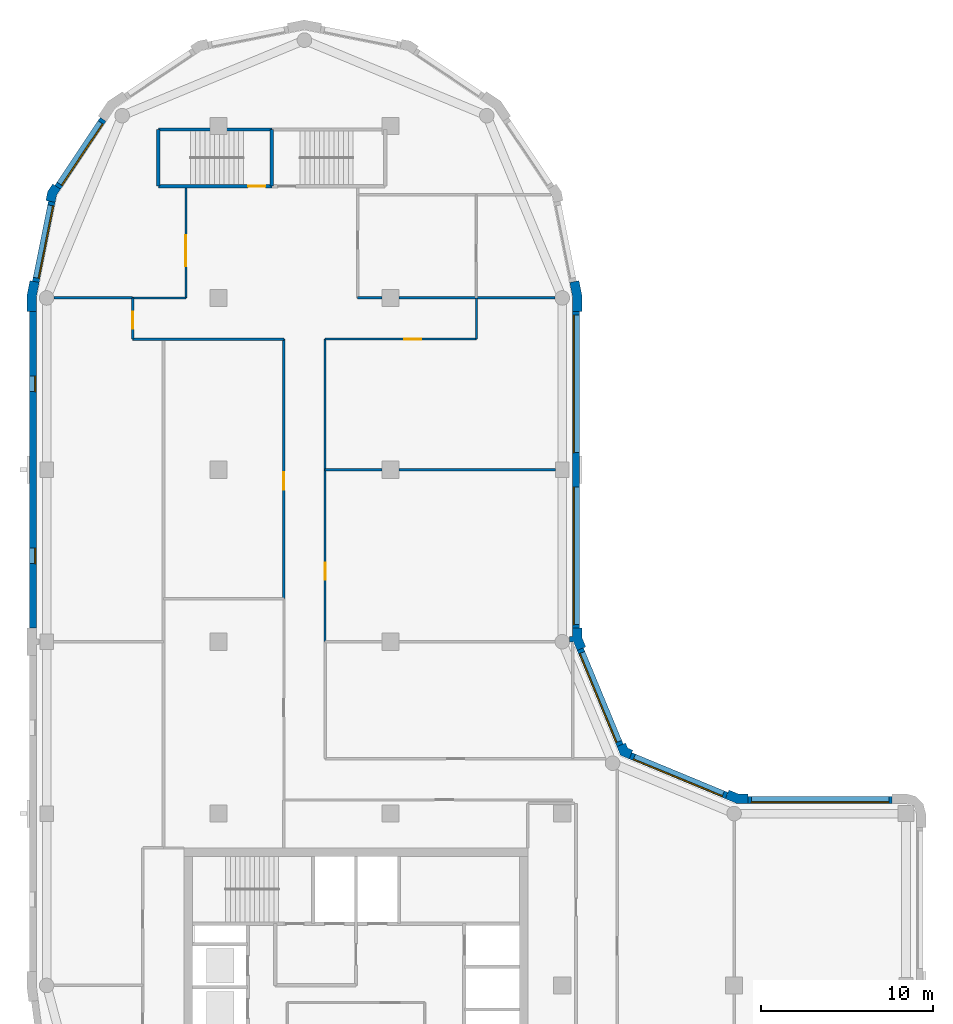
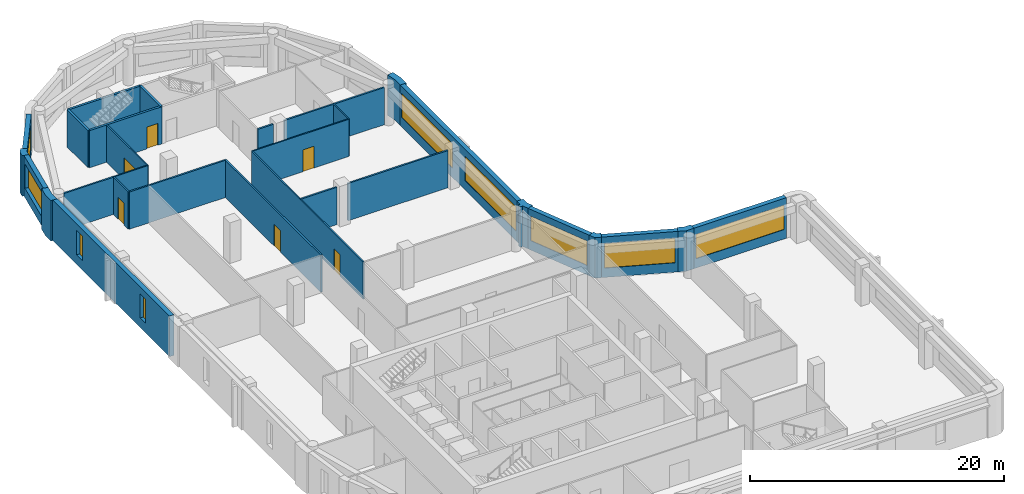
# One storey, part 5 of 9: 30 walls, 9 windows, 6 doors, 15 openings.
"""IFC4 building model written with IfcOpenShell, lengths in metres."""

from ifc_helpers import new_model, si_unit, direction, frame, frame_2d, origin, place, context, subcontext, project, spatial, polyline, rectangle, outline, extrude, material, layer, layer_set, type_object, element, fill, save


model = new_model("IFC4")

# Units and contexts
model_context = context("Model", 3, precision=1e-05, world=origin(), true_north=direction((0.0, 1.0)))
body_context = subcontext(model_context, "Body", "Model", "MODEL_VIEW")
ifc_project = project(units=[si_unit("LENGTHUNIT", "METRE"), si_unit("AREAUNIT", "SQUARE_METRE"), si_unit("VOLUMEUNIT", "CUBIC_METRE"), si_unit("PLANEANGLEUNIT", "RADIAN"), si_unit("MASSUNIT", "GRAM", prefix="KILO")], contexts=[model_context])

# Site, building, storey
site_placement = place(None, origin())
site = spatial("IfcSite", under=ifc_project, at=site_placement, CompositionType="ELEMENT")
building_placement = place(site_placement, origin())
building = spatial("IfcBuilding", under=site, at=building_placement, Name="Qaws Garden Tower", CompositionType="ELEMENT")
storey_placement = place(building_placement, frame((0.0, 0.0, 267.0)))
storey = spatial("IfcBuildingStorey", under=building, at=storey_placement, Name="L64", CompositionType="ELEMENT", Elevation=267.0)

# Wall, opening, window
ifc_material_1 = material(Name="Clay facing brick masonry", Category="masonry")
ifc_layer_1 = layer(ifc_material_1, 0.39990234375)
ifc_layer_set_1 = layer_set([ifc_layer_1], Name="Clay facing brick masonry")
wall_type_1 = type_object("IfcWallType", Name="Brick infill wall 400", PredefinedType="SOLIDWALL", material=ifc_layer_set_1)
wall_1_placement = place(storey_placement, frame((49.199951171875, 30.800048828125, 0.0), z_axis=(0.0, 0.0, 1.0), x_axis=(-1.0, 0.0, 0.0)))
wall_1 = element("IfcWall", 1, at=wall_1_placement, inside=storey, type_object=wall_type_1, Name="E-L64-infill-06", PredefinedType="SOLIDWALL", context=body_context, shape_type="SweptSolid", body=[
    extrude(rectangle(XDim=8.39990234375, YDim=0.39990234375, at=frame_2d((4.199951171875, 0.0))), origin(), (0.0, 0.0, 1.0), 3.89990234375),
])
opening_1_placement = place(wall_1_placement, frame((0.199951171875, 0.0, 0.89990234375)))
opening_1 = element("IfcOpeningElement", 2, at=opening_1_placement, cuts=wall_1, Name="Opening W01", PredefinedType="OPENING", context=body_context, shape_type="SweptSolid", body=[
    extrude(rectangle(XDim=8.0, YDim=2.35009765625, at=frame_2d((4.0, 1.175048828125))), frame((0.0, 0.2099609375, 0.0), z_axis=(0.0, -1.0, 0.0), x_axis=(1.0, 0.0, 0.0)), (0.0, 0.0, 1.0), 0.419921875),
])
ifc_material_2 = material(Name="Aluminium framed window, clear glazing", Category="aluminium")
window_type_1 = type_object("IfcWindowType", Name="Ribbon window 8000 x 2350", PartitioningType="DOUBLE_PANEL_VERTICAL", PredefinedType="WINDOW", material=ifc_material_2)
window_1_placement = place(opening_1_placement, origin())
window_1 = element("IfcWindow", 3, at=window_1_placement, inside=storey, type_object=window_type_1, Name="E-L64-window-06-0", OverallHeight=2.35009765625, OverallWidth=8.0, PartitioningType="SINGLE_PANEL", PredefinedType="WINDOW", context=body_context, shape_type="SweptSolid", body=[
    extrude(rectangle(XDim=8.0, YDim=2.35009765625, at=frame_2d((4.0, 1.175048828125))), frame((0.0, 0.159912109375, 0.0), z_axis=(0.0, -1.0, 0.0), x_axis=(1.0, 0.0, 0.0)), (0.0, 0.0, 1.0), 0.06005859375),
])
fill(opening_1, window_1)

wall_2_placement = place(storey_placement, frame((39.56689453125, 31.04541015625, 0.0), z_axis=(0.0, 0.0, 1.0), x_axis=(-0.923891000409, 0.382655745237, 0.0)))
wall_2 = element("IfcWall", 4, at=wall_2_placement, inside=storey, type_object=wall_type_1, Name="E-L64-infill-07", PredefinedType="SOLIDWALL", context=body_context, shape_type="SweptSolid", body=[
    extrude(rectangle(XDim=6.053466796875, YDim=0.39990234375, at=frame_2d((3.02685546875, 0.0))), origin(), (0.0, 0.0, 1.0), 3.89990234375),
])
opening_2_placement = place(wall_2_placement, frame((0.226806640625, 0.0, 0.89990234375)))
opening_2 = element("IfcOpeningElement", 5, at=opening_2_placement, cuts=wall_2, Name="Opening W04", PredefinedType="OPENING", context=body_context, shape_type="SweptSolid", body=[
    extrude(rectangle(XDim=5.60009765625, YDim=2.35009765625, at=frame_2d((2.800048828125, 1.175048828125))), frame((0.0, 0.2099609375, 0.0), z_axis=(0.0, -1.0, 0.0), x_axis=(1.0, 0.0, 0.0)), (0.0, 0.0, 1.0), 0.419921875),
])
ifc_material_3 = material(Name="Aluminium framed window, clear glazing", Category="aluminium")
window_type_2 = type_object("IfcWindowType", Name="Ribbon window 5600 x 2350", PartitioningType="DOUBLE_PANEL_VERTICAL", PredefinedType="WINDOW", material=ifc_material_3)
window_2_placement = place(opening_2_placement, origin())
window_2 = element("IfcWindow", 6, at=window_2_placement, inside=storey, type_object=window_type_2, Name="E-L64-window-07-0", OverallHeight=2.35009765625, OverallWidth=5.60009765625, PartitioningType="SINGLE_PANEL", PredefinedType="WINDOW", context=body_context, shape_type="SweptSolid", body=[
    extrude(rectangle(XDim=5.60009765625, YDim=2.35009765625, at=frame_2d((2.800048828125, 1.175048828125))), frame((0.0, 0.159912109375, 0.0), z_axis=(0.0, -1.0, 0.0), x_axis=(1.0, 0.0, 0.0)), (0.0, 0.0, 1.0), 0.06005859375),
])
fill(opening_2, window_2)

wall_3_placement = place(storey_placement, frame((33.36181640625, 33.97412109375, 0.0), z_axis=(0.0, 0.0, 1.0), x_axis=(-0.382655745237, 0.923891000409, 0.0)))
wall_3 = element("IfcWall", 7, at=wall_3_placement, inside=storey, type_object=wall_type_1, Name="E-L64-infill-08", PredefinedType="SOLIDWALL", context=body_context, shape_type="SweptSolid", body=[
    extrude(rectangle(XDim=6.053466796875, YDim=0.39990234375, at=frame_2d((3.02685546875, 0.0))), origin(), (0.0, 0.0, 1.0), 3.89990234375),
])
opening_3_placement = place(wall_3_placement, frame((0.226806640625, 0.0, 0.89990234375)))
opening_3 = element("IfcOpeningElement", 8, at=opening_3_placement, cuts=wall_3, Name="Opening W04", PredefinedType="OPENING", context=body_context, shape_type="SweptSolid", body=[
    extrude(rectangle(XDim=5.60009765625, YDim=2.35009765625, at=frame_2d((2.800048828125, 1.175048828125))), frame((0.0, 0.2099609375, 0.0), z_axis=(0.0, -1.0, 0.0), x_axis=(1.0, 0.0, 0.0)), (0.0, 0.0, 1.0), 0.419921875),
])
window_3_placement = place(opening_3_placement, origin())
window_3 = element("IfcWindow", 9, at=window_3_placement, inside=storey, type_object=window_type_2, Name="E-L64-window-08-0", OverallHeight=2.35009765625, OverallWidth=5.60009765625, PartitioningType="SINGLE_PANEL", PredefinedType="WINDOW", context=body_context, shape_type="SweptSolid", body=[
    extrude(rectangle(XDim=5.60009765625, YDim=2.35009765625, at=frame_2d((2.800048828125, 1.175048828125))), frame((0.0, 0.159912109375, 0.0), z_axis=(0.0, -1.0, 0.0), x_axis=(1.0, 0.0, 0.0)), (0.0, 0.0, 1.0), 0.06005859375),
])
fill(opening_3, window_3)

# Wall, openings, windows
wall_4_placement = place(storey_placement, frame((30.800048828125, 40.800048828125, 0.0), z_axis=(0.0, 0.0, 1.0), x_axis=(0.0, 1.0, 0.0)))
wall_4 = element("IfcWall", 10, at=wall_4_placement, inside=storey, type_object=wall_type_1, Name="E-L64-infill-09", PredefinedType="SOLIDWALL", context=body_context, shape_type="SweptSolid", body=[
    extrude(rectangle(XDim=18.39990234375, YDim=0.39990234375, at=frame_2d((9.199951171875, 0.0))), origin(), (0.0, 0.0, 1.0), 3.89990234375),
])
opening_4_placement = place(wall_4_placement, frame((0.199951171875, 0.0, 0.89990234375)))
opening_4 = element("IfcOpeningElement", 11, at=opening_4_placement, cuts=wall_4, Name="Opening W01", PredefinedType="OPENING", context=body_context, shape_type="SweptSolid", body=[
    extrude(rectangle(XDim=8.0, YDim=2.35009765625, at=frame_2d((4.0, 1.175048828125))), frame((0.0, 0.2099609375, 0.0), z_axis=(0.0, -1.0, 0.0), x_axis=(1.0, 0.0, 0.0)), (0.0, 0.0, 1.0), 0.419921875),
])
opening_5_placement = place(wall_4_placement, frame((10.199951171875, 0.0, 0.89990234375)))
opening_5 = element("IfcOpeningElement", 12, at=opening_5_placement, cuts=wall_4, Name="Opening W01", PredefinedType="OPENING", context=body_context, shape_type="SweptSolid", body=[
    extrude(rectangle(XDim=8.0, YDim=2.35009765625, at=frame_2d((4.0, 1.175048828125))), frame((0.0, 0.2099609375, 0.0), z_axis=(0.0, -1.0, 0.0), x_axis=(1.0, 0.0, 0.0)), (0.0, 0.0, 1.0), 0.419921875),
])
window_4_placement = place(opening_4_placement, origin())
window_4 = element("IfcWindow", 13, at=window_4_placement, inside=storey, type_object=window_type_1, Name="E-L64-window-09-0", OverallHeight=2.35009765625, OverallWidth=8.0, PartitioningType="SINGLE_PANEL", PredefinedType="WINDOW", context=body_context, shape_type="SweptSolid", body=[
    extrude(rectangle(XDim=8.0, YDim=2.35009765625, at=frame_2d((4.0, 1.175048828125))), frame((0.0, 0.159912109375, 0.0), z_axis=(0.0, -1.0, 0.0), x_axis=(1.0, 0.0, 0.0)), (0.0, 0.0, 1.0), 0.06005859375),
])
fill(opening_4, window_4)
window_5_placement = place(opening_5_placement, origin())
window_5 = element("IfcWindow", 14, at=window_5_placement, inside=storey, type_object=window_type_1, Name="E-L64-window-10-0", OverallHeight=2.35009765625, OverallWidth=8.0, PartitioningType="SINGLE_PANEL", PredefinedType="WINDOW", context=body_context, shape_type="SweptSolid", body=[
    extrude(rectangle(XDim=8.0, YDim=2.35009765625, at=frame_2d((4.0, 1.175048828125))), frame((0.0, 0.159912109375, 0.0), z_axis=(0.0, -1.0, 0.0), x_axis=(1.0, 0.0, 0.0)), (0.0, 0.0, 1.0), 0.06005859375),
])
fill(opening_5, window_5)

# Wall, opening, window
wall_5_placement = place(storey_placement, frame((3.28369140625, 70.385986328125, 0.0), z_axis=(0.0, 0.0, 1.0), x_axis=(-0.555541552266, -0.831488775454, 0.0)))
wall_5 = element("IfcWall", 15, at=wall_5_placement, inside=storey, type_object=wall_type_1, Name="E-L64-infill-17", PredefinedType="SOLIDWALL", context=body_context, shape_type="SweptSolid", body=[
    extrude(rectangle(XDim=4.752685546875, YDim=0.39990234375, at=frame_2d((2.37646484375, 0.0))), origin(), (0.0, 0.0, 1.0), 3.89990234375),
])
opening_6_placement = place(wall_5_placement, frame((0.226318359375, 0.0, 0.89990234375)))
opening_6 = element("IfcOpeningElement", 16, at=opening_6_placement, cuts=wall_5, Name="Opening W06", PredefinedType="OPENING", context=body_context, shape_type="SweptSolid", body=[
    extrude(rectangle(XDim=4.300048828125, YDim=2.35009765625, at=frame_2d((2.14990234375, 1.175048828125))), frame((0.0, 0.2099609375, 0.0), z_axis=(0.0, -1.0, 0.0), x_axis=(1.0, 0.0, 0.0)), (0.0, 0.0, 1.0), 0.419921875),
])
ifc_material_4 = material(Name="Aluminium framed window, clear glazing", Category="aluminium")
window_type_3 = type_object("IfcWindowType", Name="Ribbon window 4300 x 2350", PartitioningType="DOUBLE_PANEL_VERTICAL", PredefinedType="WINDOW", material=ifc_material_4)
window_6_placement = place(opening_6_placement, origin())
window_6 = element("IfcWindow", 17, at=window_6_placement, inside=storey, type_object=window_type_3, Name="E-L64-window-17-0", OverallHeight=2.35009765625, OverallWidth=4.300048828125, PartitioningType="SINGLE_PANEL", PredefinedType="WINDOW", context=body_context, shape_type="SweptSolid", body=[
    extrude(rectangle(XDim=4.300048828125, YDim=2.35009765625, at=frame_2d((2.14990234375, 1.175048828125))), frame((0.0, 0.159912109375, 0.0), z_axis=(0.0, -1.0, 0.0), x_axis=(1.0, 0.0, 0.0)), (0.0, 0.0, 1.0), 0.06005859375),
])
fill(opening_6, window_6)

wall_6_placement = place(storey_placement, frame((0.298583984375, 65.60205078125, 0.0), z_axis=(0.0, 0.0, 1.0), x_axis=(-0.195098533057, -0.98078364709, 0.0)))
wall_6 = element("IfcWall", 18, at=wall_6_placement, inside=storey, type_object=wall_type_1, Name="E-L64-infill-18", PredefinedType="SOLIDWALL", context=body_context, shape_type="SweptSolid", body=[
    extrude(rectangle(XDim=4.752685546875, YDim=0.39990234375, at=frame_2d((2.37646484375, 0.0))), origin(), (0.0, 0.0, 1.0), 3.89990234375),
])
opening_7_placement = place(wall_6_placement, frame((0.226318359375, 0.0, 0.89990234375)))
opening_7 = element("IfcOpeningElement", 19, at=opening_7_placement, cuts=wall_6, Name="Opening W06", PredefinedType="OPENING", context=body_context, shape_type="SweptSolid", body=[
    extrude(rectangle(XDim=4.300048828125, YDim=2.35009765625, at=frame_2d((2.14990234375, 1.175048828125))), frame((0.0, 0.2099609375, 0.0), z_axis=(0.0, -1.0, 0.0), x_axis=(1.0, 0.0, 0.0)), (0.0, 0.0, 1.0), 0.419921875),
])
window_7_placement = place(opening_7_placement, origin())
window_7 = element("IfcWindow", 20, at=window_7_placement, inside=storey, type_object=window_type_3, Name="E-L64-window-18-0", OverallHeight=2.35009765625, OverallWidth=4.300048828125, PartitioningType="SINGLE_PANEL", PredefinedType="WINDOW", context=body_context, shape_type="SweptSolid", body=[
    extrude(rectangle(XDim=4.300048828125, YDim=2.35009765625, at=frame_2d((2.14990234375, 1.175048828125))), frame((0.0, 0.159912109375, 0.0), z_axis=(0.0, -1.0, 0.0), x_axis=(1.0, 0.0, 0.0)), (0.0, 0.0, 1.0), 0.06005859375),
])
fill(opening_7, window_7)

# Wall, openings, windows
wall_7_placement = place(storey_placement, frame((-0.800048828125, 59.199951171875, 0.0), z_axis=(0.0, 0.0, 1.0), x_axis=(0.0, -1.0, 0.0)))
wall_7 = element("IfcWall", 21, at=wall_7_placement, inside=storey, type_object=wall_type_1, Name="E-L64-infill-19", PredefinedType="SOLIDWALL", context=body_context, shape_type="SweptSolid", body=[
    extrude(rectangle(XDim=18.39990234375, YDim=0.39990234375, at=frame_2d((9.199951171875, 0.0))), origin(), (0.0, 0.0, 1.0), 3.89990234375),
])
opening_8_placement = place(wall_7_placement, frame((3.75, 0.0, 0.89990234375)))
opening_8 = element("IfcOpeningElement", 22, at=opening_8_placement, cuts=wall_7, Name="Opening W09", PredefinedType="OPENING", context=body_context, shape_type="SweptSolid", body=[
    extrude(rectangle(XDim=0.89990234375, YDim=2.35009765625, at=frame_2d((0.449951171875, 1.175048828125))), frame((0.0, 0.2099609375, 0.0), z_axis=(0.0, -1.0, 0.0), x_axis=(1.0, 0.0, 0.0)), (0.0, 0.0, 1.0), 0.419921875),
])
opening_9_placement = place(wall_7_placement, frame((13.75, 0.0, 0.89990234375)))
opening_9 = element("IfcOpeningElement", 23, at=opening_9_placement, cuts=wall_7, Name="Opening W09", PredefinedType="OPENING", context=body_context, shape_type="SweptSolid", body=[
    extrude(rectangle(XDim=0.89990234375, YDim=2.35009765625, at=frame_2d((0.449951171875, 1.175048828125))), frame((0.0, 0.2099609375, 0.0), z_axis=(0.0, -1.0, 0.0), x_axis=(1.0, 0.0, 0.0)), (0.0, 0.0, 1.0), 0.419921875),
])
ifc_material_5 = material(Name="Aluminium framed window, clear glazing", Category="aluminium")
window_type_4 = type_object("IfcWindowType", Name="Slit window 900 x 2350", PartitioningType="SINGLE_PANEL", PredefinedType="WINDOW", material=ifc_material_5)
window_8_placement = place(opening_8_placement, origin())
window_8 = element("IfcWindow", 24, at=window_8_placement, inside=storey, type_object=window_type_4, Name="E-L64-window-19-0", OverallHeight=2.35009765625, OverallWidth=0.89990234375, PartitioningType="SINGLE_PANEL", PredefinedType="WINDOW", context=body_context, shape_type="SweptSolid", body=[
    extrude(rectangle(XDim=0.89990234375, YDim=2.35009765625, at=frame_2d((0.449951171875, 1.175048828125))), frame((0.0, 0.159912109375, 0.0), z_axis=(0.0, -1.0, 0.0), x_axis=(1.0, 0.0, 0.0)), (0.0, 0.0, 1.0), 0.06005859375),
])
fill(opening_8, window_8)
window_9_placement = place(opening_9_placement, origin())
window_9 = element("IfcWindow", 25, at=window_9_placement, inside=storey, type_object=window_type_4, Name="E-L64-window-20-0", OverallHeight=2.35009765625, OverallWidth=0.89990234375, PartitioningType="SINGLE_PANEL", PredefinedType="WINDOW", context=body_context, shape_type="SweptSolid", body=[
    extrude(rectangle(XDim=0.89990234375, YDim=2.35009765625, at=frame_2d((0.449951171875, 1.175048828125))), frame((0.0, 0.159912109375, 0.0), z_axis=(0.0, -1.0, 0.0), x_axis=(1.0, 0.0, 0.0)), (0.0, 0.0, 1.0), 0.06005859375),
])
fill(opening_9, window_9)

# Walls
ifc_material_6 = material(Name="Clay facing brick masonry", Category="masonry")
ifc_layer_2 = layer(ifc_material_6, 0.550048828125)
ifc_layer_set_2 = layer_set([ifc_layer_2], Name="Clay facing brick masonry")
wall_type_2 = type_object("IfcWallType", Name="Brick kink pier 550 x 600", PredefinedType="SOLIDWALL", material=ifc_layer_set_2)
placement = place(storey_placement, origin())
element("IfcWall", 26, at=placement, inside=storey, type_object=wall_type_2, Name="E-L64-pier-18", PredefinedType="SOLIDWALL", context=body_context, shape_type="SweptSolid", body=[
    extrude(outline(polyline([(0.47705078125, 66.545166015625), (0.352294921875, 66.628662109375), (0.05859375, 66.18896484375), (-0.044677734375, 65.67041015625), (0.1025390625, 65.64111328125), (0.494873046875, 65.56298828125), (0.57666015625, 65.974365234375), (0.8095703125, 66.322998046875), (0.47705078125, 66.545166015625)])), origin(), (0.0, 0.0, 1.0), 3.89990234375),
])
ifc_material_7 = material(Name="Clay facing brick masonry", Category="masonry")
ifc_layer_3 = layer(ifc_material_7, 0.550048828125)
ifc_layer_set_3 = layer_set([ifc_layer_3], Name="Clay facing brick masonry")
wall_type_3 = type_object("IfcWallType", Name="Brick pier 550 x 1600", PredefinedType="SOLIDWALL", material=ifc_layer_set_3)
element("IfcWall", 27, at=placement, inside=storey, type_object=wall_type_3, Name="E-L64-pier-07", PredefinedType="SOLIDWALL", context=body_context, shape_type="SweptSolid", body=[
    extrude(outline(polyline([(40.800048828125, 31.0), (40.800048828125, 31.14990234375), (40.228759765625, 31.14990234375), (39.700927734375, 31.36865234375), (39.6435546875, 31.22998046875), (39.490478515625, 30.860595703125), (40.119384765625, 30.60009765625), (40.800048828125, 30.60009765625), (40.800048828125, 31.0)])), origin(), (0.0, 0.0, 1.0), 3.89990234375),
])
element("IfcWall", 28, at=placement, inside=storey, type_object=wall_type_3, Name="E-L64-pier-08", PredefinedType="SOLIDWALL", context=body_context, shape_type="SweptSolid", body=[
    extrude(outline(polyline([(34.05078125, 33.546630859375), (34.108154296875, 33.685302734375), (33.80908203125, 33.80908203125), (33.685302734375, 34.108154296875), (33.546630859375, 34.05078125), (33.177001953125, 33.897705078125), (33.38818359375, 33.38818359375), (33.897705078125, 33.177001953125), (34.05078125, 33.546630859375)])), origin(), (0.0, 0.0, 1.0), 3.89990234375),
])
element("IfcWall", 29, at=placement, inside=storey, type_object=wall_type_3, Name="E-L64-pier-09", PredefinedType="SOLIDWALL", context=body_context, shape_type="SweptSolid", body=[
    extrude(outline(polyline([(30.6201171875, 39.995361328125), (30.6201171875, 40.071044921875), (30.860595703125, 39.490478515625), (31.22998046875, 39.6435546875), (31.36865234375, 39.700927734375), (31.14990234375, 40.228759765625), (31.14990234375, 40.800048828125), (31.0, 40.800048828125), (30.60009765625, 40.800048828125), (30.60009765625, 40.29541015625), (30.425048828125, 40.29541015625), (30.425048828125, 39.995361328125), (30.6201171875, 39.995361328125)])), origin(), (0.0, 0.0, 1.0), 3.89990234375),
])
element("IfcWall", 30, at=placement, inside=storey, type_object=wall_type_3, Name="E-L64-pier-11", PredefinedType="SOLIDWALL", context=body_context, shape_type="SweptSolid", body=[
    extrude(outline(polyline([(31.0, 59.199951171875), (31.14990234375, 59.199951171875), (31.14990234375, 60.11328125), (30.971923828125, 61.009033203125), (30.82470703125, 60.979736328125), (30.432373046875, 60.901611328125), (30.60009765625, 60.05908203125), (30.60009765625, 59.199951171875), (31.0, 59.199951171875)])), origin(), (0.0, 0.0, 1.0), 3.89990234375),
])
element("IfcWall", 31, at=placement, inside=storey, type_object=wall_type_3, Name="E-L64-pier-19", PredefinedType="SOLIDWALL", context=body_context, shape_type="SweptSolid", body=[
    extrude(outline(polyline([(-0.82470703125, 60.979736328125), (-0.971923828125, 61.009033203125), (-1.14990234375, 60.11328125), (-1.14990234375, 59.199951171875), (-1.0, 59.199951171875), (-0.60009765625, 59.199951171875), (-0.60009765625, 60.05908203125), (-0.432373046875, 60.901611328125), (-0.82470703125, 60.979736328125)])), origin(), (0.0, 0.0, 1.0), 3.89990234375),
])

# Wall, opening, door
ifc_material_8 = material(Name="Concrete C60", Category="concrete")
ifc_layer_4 = layer(ifc_material_8, 0.199951171875)
ifc_layer_set_4 = layer_set([ifc_layer_4], Name="Concrete C60")
wall_type_4 = type_object("IfcWallType", Name="Core shaft wall 200 C60", PredefinedType="SHEAR", material=ifc_layer_set_4)
wall_14_placement = place(storey_placement, frame((6.5, 66.5, 0.0), z_axis=(0.0, 0.0, 1.0), x_axis=(1.0, 0.0, 0.0)))
wall_14 = element("IfcWall", 32, at=wall_14_placement, inside=storey, type_object=wall_type_4, Name="Shaft wall", PredefinedType="SHEAR", context=body_context, shape_type="SweptSolid", body=[
    extrude(rectangle(XDim=6.60009765625, YDim=0.199951171875, at=frame_2d((3.300048828125, 0.0))), origin(), (0.0, 0.0, 1.0), 3.580078125),
])
opening_10_placement = place(wall_14_placement, frame((5.22509765625, 0.0, 0.0)))
opening_10 = element("IfcOpeningElement", 33, at=opening_10_placement, cuts=wall_14, Name="Opening SD13", PredefinedType="OPENING", context=body_context, shape_type="SweptSolid", body=[
    extrude(rectangle(XDim=1.0, YDim=2.10009765625, at=frame_2d((0.5, 1.050048828125))), frame((0.0, 0.10986328125, 0.0), z_axis=(0.0, -1.0, 0.0), x_axis=(1.0, 0.0, 0.0)), (0.0, 0.0, 1.0), 0.219970703125),
])
ifc_material_9 = material(Name="Steel S235", Category="steel")
door_type_1 = type_object("IfcDoorType", Name="Stair door 1000x2100", OperationType="SINGLE_SWING_RIGHT", PredefinedType="DOOR", material=ifc_material_9)
door_1_placement = place(opening_10_placement, origin())
door_1 = element("IfcDoor", 34, at=door_1_placement, inside=storey, type_object=door_type_1, Name="Stair 6 door", OperationType="SINGLE_SWING_RIGHT", OverallHeight=2.10009765625, OverallWidth=1.0, PredefinedType="DOOR", context=body_context, shape_type="SweptSolid", body=[
    extrude(rectangle(XDim=1.0, YDim=2.10009765625, at=frame_2d((0.5, 1.050048828125))), frame((0.0, 0.02490234375, 0.0), z_axis=(0.0, -1.0, 0.0), x_axis=(1.0, 0.0, 0.0)), (0.0, 0.0, 1.0), 0.050048828125),
])
fill(opening_10, door_1)

# Walls
wall_15_placement = place(storey_placement, frame((6.5, 69.800048828125, 0.0), z_axis=(0.0, 0.0, 1.0), x_axis=(1.0, 0.0, 0.0)))
element("IfcWall", 35, at=wall_15_placement, inside=storey, type_object=wall_type_4, Name="Shaft wall", PredefinedType="SHEAR", context=body_context, shape_type="SweptSolid", body=[
    extrude(rectangle(XDim=6.60009765625, YDim=0.199951171875, at=frame_2d((3.300048828125, 0.0))), origin(), (0.0, 0.0, 1.0), 3.580078125),
])
for number, where, z_axis, x_axis, name in (
    (36, (6.5, 66.5, 0.0), (0.0, 0.0, 1.0), (0.0, 1.0, 0.0), "Shaft wall"),
    (37, (13.10009765625, 66.5, 0.0), (0.0, 0.0, 1.0), (0.0, 1.0, 0.0), "Shaft wall"),
):
    element("IfcWall", number, at=place(storey_placement, frame(where, z_axis=z_axis, x_axis=x_axis)), inside=storey, type_object=wall_type_4, Name=name, PredefinedType="SHEAR", context=body_context, shape_type="SweptSolid", body=[
        extrude(rectangle(XDim=3.300048828125, YDim=0.199951171875, at=frame_2d((1.64990234375, 0.0))), origin(), (0.0, 0.0, 1.0), 3.580078125),
    ])

# Wall, opening, door
ifc_material_10 = material(Name="Glass and aluminium framing", Category="aluminium")
ifc_layer_5 = layer(ifc_material_10, 0.1201171875)
ifc_layer_set_5 = layer_set([ifc_layer_5], Name="Glass and aluminium framing")
wall_type_5 = type_object("IfcWallType", Name="GLAZED PARTITION 120 EI 30", PredefinedType="PARTITIONING", material=ifc_layer_set_5)
wall_16_placement = place(storey_placement, frame((8.10009765625, 60.0, 0.0), z_axis=(0.0, 0.0, 1.0), x_axis=(0.0, 1.0, 0.0)))
wall_16 = element("IfcWall", 38, at=wall_16_placement, inside=storey, type_object=wall_type_5, Name="O-L64-wall-040", PredefinedType="PARTITIONING", context=body_context, shape_type="SweptSolid", body=[
    extrude(rectangle(XDim=6.39990234375, YDim=0.1201171875, at=frame_2d((3.199951171875, 0.0))), origin(), (0.0, 0.0, 1.0), 3.580078125),
])
opening_11_placement = place(wall_16_placement, frame((1.85009765625, 0.0, 0.0)))
opening_11 = element("IfcOpeningElement", 39, at=opening_11_placement, cuts=wall_16, Name="Opening C208", PredefinedType="OPENING", context=body_context, shape_type="SweptSolid", body=[
    extrude(rectangle(XDim=1.800048828125, YDim=2.10009765625, at=frame_2d((0.89990234375, 1.050048828125))), frame((0.0, 0.070068359375, 0.0), z_axis=(0.0, -1.0, 0.0), x_axis=(1.0, 0.0, 0.0)), (0.0, 0.0, 1.0), 0.14013671875),
])
ifc_material_11 = material(Name="Timber door leaf", Category="wood")
door_type_2 = type_object("IfcDoorType", Name="DOUBLE DOOR 1800 X 2100", OperationType="DOUBLE_DOOR_SINGLE_SWING", PredefinedType="DOOR", material=ifc_material_11)
door_2_placement = place(opening_11_placement, origin())
door_2 = element("IfcDoor", 40, at=door_2_placement, inside=storey, type_object=door_type_2, Name="O-L64-door-008", OperationType="DOUBLE_DOOR_SINGLE_SWING", OverallHeight=2.10009765625, OverallWidth=1.800048828125, PredefinedType="DOOR", context=body_context, shape_type="SweptSolid", body=[
    extrude(rectangle(XDim=1.800048828125, YDim=2.10009765625, at=frame_2d((0.89990234375, 1.050048828125))), frame((0.0, 0.02490234375, 0.0), z_axis=(0.0, -1.0, 0.0), x_axis=(1.0, 0.0, 0.0)), (0.0, 0.0, 1.0), 0.050048828125),
])
fill(opening_11, door_2)

wall_17_placement = place(storey_placement, frame((16.199951171875, 40.0, 0.0), z_axis=(0.0, 0.0, 1.0), x_axis=(0.0, 1.0, 0.0)))
wall_17 = element("IfcWall", 41, at=wall_17_placement, inside=storey, type_object=wall_type_5, Name="O-L64-wall-042", PredefinedType="PARTITIONING", context=body_context, shape_type="SweptSolid", body=[
    extrude(rectangle(XDim=17.60009765625, YDim=0.1201171875, at=frame_2d((8.800048828125, 0.0))), origin(), (0.0, 0.0, 1.0), 3.580078125),
])
opening_12_placement = place(wall_17_placement, frame((3.60009765625, 0.0, 0.0)))
opening_12 = element("IfcOpeningElement", 42, at=opening_12_placement, cuts=wall_17, Name="Opening C206", PredefinedType="OPENING", context=body_context, shape_type="SweptSolid", body=[
    extrude(rectangle(XDim=1.0, YDim=2.10009765625, at=frame_2d((0.5, 1.050048828125))), frame((0.0, 0.070068359375, 0.0), z_axis=(0.0, -1.0, 0.0), x_axis=(1.0, 0.0, 0.0)), (0.0, 0.0, 1.0), 0.14013671875),
])
ifc_material_12 = material(Name="Timber door leaf", Category="wood")
door_type_3 = type_object("IfcDoorType", Name="TENANCY ENTRANCE DOOR 1000 X 2100", OperationType="SINGLE_SWING_LEFT", PredefinedType="DOOR", material=ifc_material_12)
door_3_placement = place(opening_12_placement, frame((1.0, 0.0, 0.0), z_axis=(0.0, 0.0, 1.0), x_axis=(-1.0, 0.0, 0.0)))
door_3 = element("IfcDoor", 43, at=door_3_placement, inside=storey, type_object=door_type_3, Name="O-L64-door-006", OperationType="SINGLE_SWING_RIGHT", OverallHeight=2.10009765625, OverallWidth=1.0, PredefinedType="DOOR", context=body_context, shape_type="SweptSolid", body=[
    extrude(rectangle(XDim=1.0, YDim=2.10009765625, at=frame_2d((0.5, 1.050048828125))), frame((0.0, 0.02490234375, 0.0), z_axis=(0.0, -1.0, 0.0), x_axis=(1.0, 0.0, 0.0)), (0.0, 0.0, 1.0), 0.050048828125),
])
fill(opening_12, door_3)

# Wall
wall_18_placement = place(storey_placement, frame((25.0, 57.60009765625, 0.0), z_axis=(0.0, 0.0, 1.0), x_axis=(0.0, 1.0, 0.0)))
element("IfcWall", 44, at=wall_18_placement, inside=storey, type_object=wall_type_5, Name="O-L64-wall-044", PredefinedType="PARTITIONING", context=body_context, shape_type="SweptSolid", body=[
    extrude(rectangle(XDim=2.39990234375, YDim=0.1201171875, at=frame_2d((1.199951171875, 0.0))), origin(), (0.0, 0.0, 1.0), 3.580078125),
])

# Wall, opening, door
wall_19_placement = place(storey_placement, frame((16.199951171875, 57.60009765625, 0.0), z_axis=(0.0, 0.0, 1.0), x_axis=(1.0, 0.0, 0.0)))
wall_19 = element("IfcWall", 45, at=wall_19_placement, inside=storey, type_object=wall_type_5, Name="O-L64-wall-054", PredefinedType="PARTITIONING", context=body_context, shape_type="SweptSolid", body=[
    extrude(rectangle(XDim=8.800048828125, YDim=0.1201171875, at=frame_2d((4.39990234375, 0.0))), origin(), (0.0, 0.0, 1.0), 3.580078125),
])
opening_13_placement = place(wall_19_placement, frame((4.60009765625, 0.0, 0.0)))
opening_13 = element("IfcOpeningElement", 46, at=opening_13_placement, cuts=wall_19, Name="Opening C207", PredefinedType="OPENING", context=body_context, shape_type="SweptSolid", body=[
    extrude(rectangle(XDim=1.0, YDim=2.10009765625, at=frame_2d((0.5, 1.050048828125))), frame((0.0, 0.070068359375, 0.0), z_axis=(0.0, -1.0, 0.0), x_axis=(1.0, 0.0, 0.0)), (0.0, 0.0, 1.0), 0.14013671875),
])
door_4_placement = place(opening_13_placement, frame((1.0, 0.0, 0.0), z_axis=(0.0, 0.0, 1.0), x_axis=(-1.0, 0.0, 0.0)))
door_4 = element("IfcDoor", 47, at=door_4_placement, inside=storey, type_object=door_type_3, Name="O-L64-door-007", OperationType="SINGLE_SWING_LEFT", OverallHeight=2.10009765625, OverallWidth=1.0, PredefinedType="DOOR", context=body_context, shape_type="SweptSolid", body=[
    extrude(rectangle(XDim=1.0, YDim=2.10009765625, at=frame_2d((0.5, 1.050048828125))), frame((0.0, 0.02490234375, 0.0), z_axis=(0.0, -1.0, 0.0), x_axis=(1.0, 0.0, 0.0)), (0.0, 0.0, 1.0), 0.050048828125),
])
fill(opening_13, door_4)

# Wall
wall_20_placement = place(storey_placement, frame((5.0, 60.0, 0.0), z_axis=(0.0, 0.0, 1.0), x_axis=(1.0, 0.0, 0.0)))
element("IfcWall", 48, at=wall_20_placement, inside=storey, type_object=wall_type_5, Name="O-L64-wall-055", PredefinedType="PARTITIONING", context=body_context, shape_type="SweptSolid", body=[
    extrude(rectangle(XDim=3.10009765625, YDim=0.1201171875, at=frame_2d((1.550048828125, 0.0))), origin(), (0.0, 0.0, 1.0), 3.580078125),
])

# Wall, opening, door
ifc_material_13 = material(Name="Gypsum board partition")
ifc_layer_6 = layer(ifc_material_13, 0.14990234375)
ifc_layer_set_6 = layer_set([ifc_layer_6], Name="Gypsum board partition")
wall_type_6 = type_object("IfcWallType", Name="PARTITION 150 EI 60", PredefinedType="PARTITIONING", material=ifc_layer_set_6)
wall_21_placement = place(storey_placement, frame((5.0, 57.60009765625, 0.0), z_axis=(0.0, 0.0, 1.0), x_axis=(0.0, 1.0, 0.0)))
wall_21 = element("IfcWall", 49, at=wall_21_placement, inside=storey, type_object=wall_type_6, Name="O-L64-wall-002", PredefinedType="PARTITIONING", context=body_context, shape_type="SweptSolid", body=[
    extrude(rectangle(XDim=2.39990234375, YDim=0.14990234375, at=frame_2d((1.199951171875, 0.0))), origin(), (0.0, 0.0, 1.0), 3.580078125),
])
opening_14_placement = place(wall_21_placement, frame((0.60009765625, 0.0, 0.0)))
opening_14 = element("IfcOpeningElement", 50, at=opening_14_placement, cuts=wall_21, Name="Opening C204", PredefinedType="OPENING", context=body_context, shape_type="SweptSolid", body=[
    extrude(rectangle(XDim=1.0, YDim=2.10009765625, at=frame_2d((0.5, 1.050048828125))), frame((0.0, 0.0849609375, 0.0), z_axis=(0.0, -1.0, 0.0), x_axis=(1.0, 0.0, 0.0)), (0.0, 0.0, 1.0), 0.169921875),
])
door_5_placement = place(opening_14_placement, origin())
door_5 = element("IfcDoor", 51, at=door_5_placement, inside=storey, type_object=door_type_3, Name="O-L64-door-004", OperationType="SINGLE_SWING_RIGHT", OverallHeight=2.10009765625, OverallWidth=1.0, PredefinedType="DOOR", context=body_context, shape_type="SweptSolid", body=[
    extrude(rectangle(XDim=1.0, YDim=2.10009765625, at=frame_2d((0.5, 1.050048828125))), frame((0.0, 0.02490234375, 0.0), z_axis=(0.0, -1.0, 0.0), x_axis=(1.0, 0.0, 0.0)), (0.0, 0.0, 1.0), 0.050048828125),
])
fill(opening_14, door_5)

wall_22_placement = place(storey_placement, frame((13.800048828125, 42.5, 0.0), z_axis=(0.0, 0.0, 1.0), x_axis=(0.0, 1.0, 0.0)))
wall_22 = element("IfcWall", 52, at=wall_22_placement, inside=storey, type_object=wall_type_6, Name="O-L64-wall-006", PredefinedType="PARTITIONING", context=body_context, shape_type="SweptSolid", body=[
    extrude(rectangle(XDim=15.10009765625, YDim=0.14990234375, at=frame_2d((7.550048828125, 0.0))), origin(), (0.0, 0.0, 1.0), 3.580078125),
])
opening_15_placement = place(wall_22_placement, frame((6.35009765625, 0.0, 0.0)))
opening_15 = element("IfcOpeningElement", 53, at=opening_15_placement, cuts=wall_22, Name="Opening C218", PredefinedType="OPENING", context=body_context, shape_type="SweptSolid", body=[
    extrude(rectangle(XDim=1.0, YDim=2.10009765625, at=frame_2d((0.5, 1.050048828125))), frame((0.0, 0.0849609375, 0.0), z_axis=(0.0, -1.0, 0.0), x_axis=(1.0, 0.0, 0.0)), (0.0, 0.0, 1.0), 0.169921875),
])
door_6_placement = place(opening_15_placement, origin())
door_6 = element("IfcDoor", 54, at=door_6_placement, inside=storey, type_object=door_type_3, Name="O-L64-door-018", OperationType="SINGLE_SWING_LEFT", OverallHeight=2.10009765625, OverallWidth=1.0, PredefinedType="DOOR", context=body_context, shape_type="SweptSolid", body=[
    extrude(rectangle(XDim=1.0, YDim=2.10009765625, at=frame_2d((0.5, 1.050048828125))), frame((0.0, 0.02490234375, 0.0), z_axis=(0.0, -1.0, 0.0), x_axis=(1.0, 0.0, 0.0)), (0.0, 0.0, 1.0), 0.050048828125),
])
fill(opening_15, door_6)

# Walls
wall_23_placement = place(storey_placement, frame((16.199951171875, 50.0, 0.0), z_axis=(0.0, 0.0, 1.0), x_axis=(1.0, 0.0, 0.0)))
element("IfcWall", 55, at=wall_23_placement, inside=storey, type_object=wall_type_6, Name="O-L64-wall-032", PredefinedType="PARTITIONING", context=body_context, shape_type="SweptSolid", body=[
    extrude(rectangle(XDim=3.300048828125, YDim=0.14990234375, at=frame_2d((1.64990234375, 0.0))), origin(), (0.0, 0.0, 1.0), 3.580078125),
])
wall_24_placement = place(storey_placement, frame((20.5, 50.0, 0.0), z_axis=(0.0, 0.0, 1.0), x_axis=(1.0, 0.0, 0.0)))
element("IfcWall", 56, at=wall_24_placement, inside=storey, type_object=wall_type_6, Name="O-L64-wall-033", PredefinedType="PARTITIONING", context=body_context, shape_type="SweptSolid", body=[
    extrude(rectangle(XDim=9.10009765625, YDim=0.14990234375, at=frame_2d((4.550048828125, 0.0))), origin(), (0.0, 0.0, 1.0), 3.580078125),
])
wall_25_placement = place(storey_placement, frame((5.0, 57.60009765625, 0.0), z_axis=(0.0, 0.0, 1.0), x_axis=(1.0, 0.0, 0.0)))
element("IfcWall", 57, at=wall_25_placement, inside=storey, type_object=wall_type_6, Name="O-L64-wall-034", PredefinedType="PARTITIONING", context=body_context, shape_type="SweptSolid", body=[
    extrude(rectangle(XDim=8.800048828125, YDim=0.14990234375, at=frame_2d((4.39990234375, 0.0))), origin(), (0.0, 0.0, 1.0), 3.580078125),
])
wall_26_placement = place(storey_placement, frame((0.425048828125, 60.0, 0.0), z_axis=(0.0, 0.0, 1.0), x_axis=(1.0, 0.0, 0.0)))
element("IfcWall", 58, at=wall_26_placement, inside=storey, type_object=wall_type_6, Name="O-L64-wall-035", PredefinedType="PARTITIONING", context=body_context, shape_type="SweptSolid", body=[
    extrude(rectangle(XDim=4.574951171875, YDim=0.14990234375, at=frame_2d((2.28759765625, 0.0))), origin(), (0.0, 0.0, 1.0), 3.580078125),
])
wall_27_placement = place(storey_placement, frame((18.10009765625, 60.0, 0.0), z_axis=(0.0, 0.0, 1.0), x_axis=(1.0, 0.0, 0.0)))
element("IfcWall", 59, at=wall_27_placement, inside=storey, type_object=wall_type_6, Name="O-L64-wall-036", PredefinedType="PARTITIONING", context=body_context, shape_type="SweptSolid", body=[
    extrude(rectangle(XDim=1.39990234375, YDim=0.14990234375, at=frame_2d((0.699951171875, 0.0))), origin(), (0.0, 0.0, 1.0), 3.580078125),
])
wall_28_placement = place(storey_placement, frame((20.5, 60.0, 0.0), z_axis=(0.0, 0.0, 1.0), x_axis=(1.0, 0.0, 0.0)))
element("IfcWall", 60, at=wall_28_placement, inside=storey, type_object=wall_type_6, Name="O-L64-wall-037", PredefinedType="PARTITIONING", context=body_context, shape_type="SweptSolid", body=[
    extrude(rectangle(XDim=9.074951171875, YDim=0.14990234375, at=frame_2d((4.53759765625, 0.0))), origin(), (0.0, 0.0, 1.0), 3.580078125),
])

save(model, "model.ifc")
